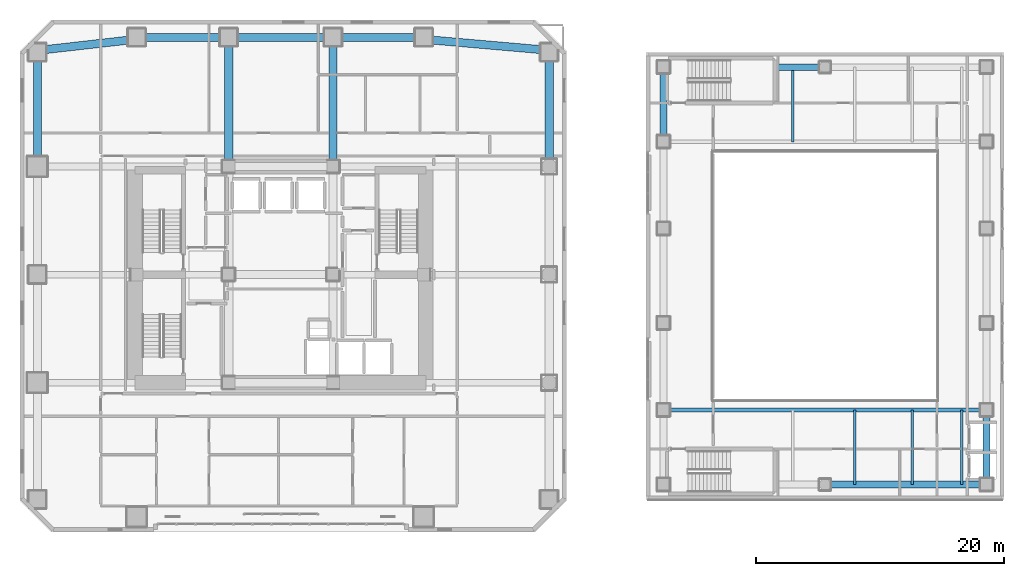
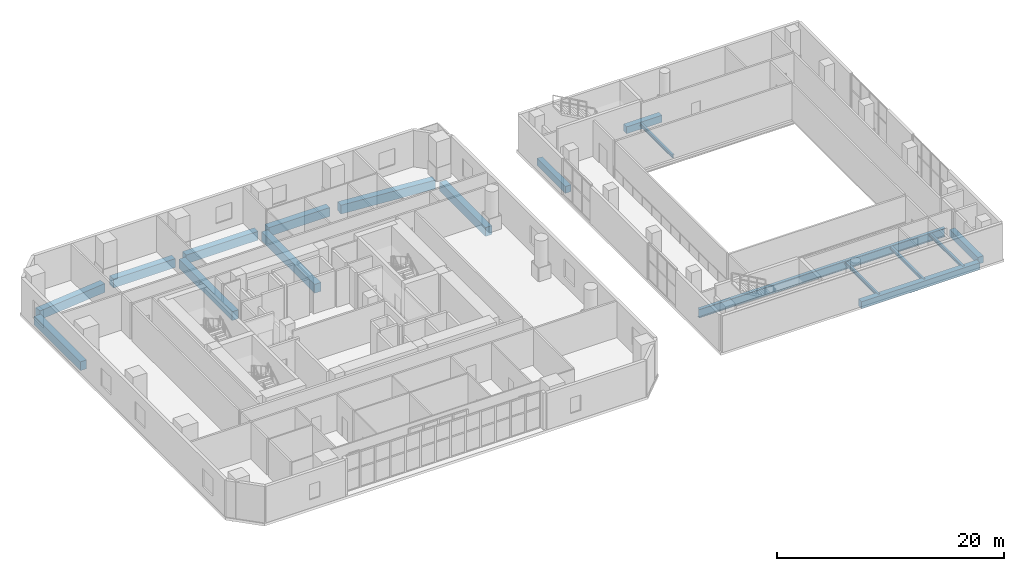
# One storey, part 9 of 24: 18 beams.
"""IFC4 building model written with IfcOpenShell, lengths in metres."""

from ifc_helpers import new_model, si_unit, direction, frame, origin, origin_2d, place, context, subcontext, project, spatial, rectangle, i_section, extrude, material, material_profile, profile_set, type_object, element, save


model = new_model("IFC4")

# Units and contexts
model_context = context("Model", 3, precision=1e-05, world=origin(), true_north=direction((0.0, 1.0)))
body_context = subcontext(model_context, "Body", "Model", "MODEL_VIEW")
ifc_project = project(units=[si_unit("LENGTHUNIT", "METRE"), si_unit("AREAUNIT", "SQUARE_METRE"), si_unit("VOLUMEUNIT", "CUBIC_METRE"), si_unit("PLANEANGLEUNIT", "RADIAN"), si_unit("MASSUNIT", "GRAM", prefix="KILO")], contexts=[model_context])

# Site, building, storey
site_placement = place(None, origin())
site = spatial("IfcSite", under=ifc_project, at=site_placement, CompositionType="ELEMENT")
building_placement = place(site_placement, origin())
building = spatial("IfcBuilding", under=site, at=building_placement, Name="Solanera Arch Residences", CompositionType="ELEMENT")
storey_placement = place(building_placement, frame((0.0, 0.0, 5.199951171875)))
storey = spatial("IfcBuildingStorey", under=building, at=storey_placement, Name="L01", CompositionType="ELEMENT", Elevation=5.199951171875)

# Beams
ifc_material_1 = material(Name="Concrete C40/50 (f'c = 45 MPa)", Category="concrete")
ifc_material_profile_1 = material_profile(ifc_material_1, rectangle(XDim=0.550048828125, YDim=0.75, at=origin_2d()))
ifc_profile_set_1 = profile_set([ifc_material_profile_1], Name="Concrete C40/50 (f'c = 45 MPa)")
beam_type_1 = type_object("IfcBeamType", Name="Primary Beam RC-BM-550X750", PredefinedType="BEAM", material=ifc_profile_set_1)
for number, where, z_axis, x_axis, name in (
    (1, (81.800048828125, 14.300048828125, -0.655029296875), (0.0, 1.0, 0.0), (-1.0, 0.0, 0.0), "BM-L01-HE-1"),
    (2, (55.800048828125, 41.89990234375, -0.655029296875), (0.0, 1.0, 0.0), (-1.0, 0.0, 0.0), "BM-L01-HW-5"),
):
    element("IfcBeam", number, at=place(storey_placement, frame(where, z_axis=z_axis, x_axis=x_axis)), inside=storey, type_object=beam_type_1, Name=name, PredefinedType="BEAM", context=body_context, shape_type="SweptSolid", body=[
        extrude(rectangle(XDim=0.550048828125, YDim=0.75, at=origin_2d()), origin(), (0.0, 0.0, 1.0), 5.0),
    ])
beam_1_placement = place(storey_placement, frame((69.25, 13.800048828125, -0.655029296875), z_axis=(1.0, 0.0, 0.0), x_axis=(0.0, 1.0, 0.0)))
element("IfcBeam", 3, at=beam_1_placement, inside=storey, type_object=beam_type_1, Name="BM-L01-HS-2", PredefinedType="BEAM", context=body_context, shape_type="SweptSolid", body=[
    extrude(rectangle(XDim=0.550048828125, YDim=0.75, at=origin_2d()), origin(), (0.0, 0.0, 1.0), 12.050048828125),
])
beam_2_placement = place(storey_placement, frame((64.760009765625, 47.39990234375, -0.655029296875), z_axis=(1.0, 0.0, 0.0), x_axis=(0.0, 1.0, 0.0)))
element("IfcBeam", 4, at=beam_2_placement, inside=storey, type_object=beam_type_1, Name="BM-L01-HN-1", PredefinedType="BEAM", context=body_context, shape_type="SweptSolid", body=[
    extrude(rectangle(XDim=0.550048828125, YDim=0.75, at=origin_2d()), origin(), (0.0, 0.0, 1.0), 3.590087890625),
])
ifc_material_2 = material(Name="Concrete C40/50 (f'c = 45 MPa)", Category="concrete")
ifc_material_profile_2 = material_profile(ifc_material_2, rectangle(XDim=0.64990234375, YDim=0.949951171875, at=origin_2d()))
ifc_profile_set_2 = profile_set([ifc_material_profile_2], Name="Concrete C40/50 (f'c = 45 MPa)")
beam_type_2 = type_object("IfcBeamType", Name="Primary Beam RC-BM-650X950", PredefinedType="BEAM", material=ifc_profile_set_2)
beam_3_placement = place(storey_placement, frame((5.39990234375, 39.93994140625, -0.7548828125), z_axis=(0.0, 1.0, 0.0), x_axis=(-1.0, 0.0, 0.0)))
element("IfcBeam", 5, at=beam_3_placement, inside=storey, type_object=beam_type_2, Name="BM-L01-POD-W4", PredefinedType="BEAM", context=body_context, shape_type="SweptSolid", body=[
    extrude(rectangle(XDim=0.64990234375, YDim=0.949951171875, at=origin_2d()), origin(), (0.0, 0.0, 1.0), 8.1201171875),
])
beam_4_placement = place(storey_placement, frame((5.8798828125, 48.800048828125, -0.7548828125), z_axis=(0.993604551923, 0.112915873098, 0.0), x_axis=(-0.112915873098, 0.993604551923, 0.0)))
element("IfcBeam", 6, at=beam_4_placement, inside=storey, type_object=beam_type_2, Name="BM-L01-POD-N1", PredefinedType="BEAM", context=body_context, shape_type="SweptSolid", body=[
    extrude(rectangle(XDim=0.64990234375, YDim=0.949951171875, at=origin_2d()), origin(), (0.0, 0.0, 1.0), 7.08544921875),
])
beam_5_placement = place(storey_placement, frame((13.93994140625, 49.800048828125, -0.7548828125), z_axis=(1.0, 0.0, 0.0), x_axis=(0.0, 1.0, 0.0)))
element("IfcBeam", 7, at=beam_5_placement, inside=storey, type_object=beam_type_2, Name="BM-L01-POD-N2", PredefinedType="BEAM", context=body_context, shape_type="SweptSolid", body=[
    extrude(rectangle(XDim=0.64990234375, YDim=0.949951171875, at=origin_2d()), origin(), (0.0, 0.0, 1.0), 6.320068359375),
])
beam_6_placement = place(storey_placement, frame((21.340087890625, 49.800048828125, -0.7548828125), z_axis=(1.0, 0.0, 0.0), x_axis=(0.0, 1.0, 0.0)))
element("IfcBeam", 8, at=beam_6_placement, inside=storey, type_object=beam_type_2, Name="BM-L01-POD-N3", PredefinedType="BEAM", context=body_context, shape_type="SweptSolid", body=[
    extrude(rectangle(XDim=0.64990234375, YDim=0.949951171875, at=origin_2d()), origin(), (0.0, 0.0, 1.0), 7.31982421875),
])
beam_7_placement = place(storey_placement, frame((29.739990234375, 49.800048828125, -0.7548828125), z_axis=(1.0, 0.0, 0.0), x_axis=(0.0, 1.0, 0.0)))
element("IfcBeam", 9, at=beam_7_placement, inside=storey, type_object=beam_type_2, Name="BM-L01-POD-N4", PredefinedType="BEAM", context=body_context, shape_type="SweptSolid", body=[
    extrude(rectangle(XDim=0.64990234375, YDim=0.949951171875, at=origin_2d()), origin(), (0.0, 0.0, 1.0), 6.219970703125),
])
beam_8_placement = place(storey_placement, frame((36.97998046875, 49.60009765625, -0.7548828125), z_axis=(0.996191002053, -0.087197978357, 0.0), x_axis=(0.087197978357, 0.996191002053, 0.0)))
element("IfcBeam", 10, at=beam_8_placement, inside=storey, type_object=beam_type_2, Name="BM-L01-POD-N5", PredefinedType="BEAM", context=body_context, shape_type="SweptSolid", body=[
    extrude(rectangle(XDim=0.64990234375, YDim=0.949951171875, at=origin_2d()), origin(), (0.0, 0.0, 1.0), 9.175048828125),
])
beam_9_placement = place(storey_placement, frame((46.60009765625, 39.93994140625, -0.7548828125), z_axis=(0.0, 1.0, 0.0), x_axis=(-1.0, 0.0, 0.0)))
element("IfcBeam", 11, at=beam_9_placement, inside=storey, type_object=beam_type_2, Name="BM-L01-POD-E4", PredefinedType="BEAM", context=body_context, shape_type="SweptSolid", body=[
    extrude(rectangle(XDim=0.64990234375, YDim=0.949951171875, at=origin_2d()), origin(), (0.0, 0.0, 1.0), 8.1201171875),
])
for number, where, z_axis, x_axis, name in (
    (12, (20.800048828125, 39.904052734375, -0.7548828125), (0.0, 1.0, 0.0), (-1.0, 0.0, 0.0), "BM-L01-POD-RN-20"),
    (13, (29.199951171875, 39.904052734375, -0.7548828125), (0.0, 1.0, 0.0), (-1.0, 0.0, 0.0), "BM-L01-POD-RN-29"),
):
    element("IfcBeam", number, at=place(storey_placement, frame(where, z_axis=z_axis, x_axis=x_axis)), inside=storey, type_object=beam_type_2, Name=name, PredefinedType="BEAM", context=body_context, shape_type="SweptSolid", body=[
        extrude(rectangle(XDim=0.64990234375, YDim=0.949951171875, at=origin_2d()), origin(), (0.0, 0.0, 1.0), 9.35595703125),
    ])
ifc_material_3 = material(Name="Steel S355 (ASTM A992 / A572 Grade 50)", Category="steel")
ifc_material_profile_3 = material_profile(ifc_material_3, i_section(OverallWidth=0.306884765625, OverallDepth=0.912109375, WebThickness=0.01953125, FlangeThickness=0.031982421875, at=origin_2d()))
ifc_profile_set_3 = profile_set([ifc_material_profile_3], Name="Steel S355 (ASTM A992 / A572 Grade 50)")
beam_type_3 = type_object("IfcBeamType", Name="Primary Beam W920X342", PredefinedType="BEAM", material=ifc_profile_set_3)
beam_10_placement = place(storey_placement, frame((56.300048828125, 19.800048828125, -0.73583984375), z_axis=(1.0, 0.0, 0.0), x_axis=(0.0, 1.0, 0.0)))
element("IfcBeam", 14, at=beam_10_placement, inside=storey, type_object=beam_type_3, Name="BM-L01-HCS", PredefinedType="BEAM", context=body_context, shape_type="SweptSolid", body=[
    extrude(i_section(OverallWidth=0.306884765625, OverallDepth=0.912109375, WebThickness=0.01953125, FlangeThickness=0.031982421875, at=origin_2d()), origin(), (0.0, 0.0, 1.0), 25.0),
])
ifc_material_4 = material(Name="Steel S355 (ASTM A992 / A572 Grade 50)", Category="steel")
ifc_material_profile_4 = material_profile(ifc_material_4, i_section(OverallWidth=0.205078125, OverallDepth=0.35400390625, WebThickness=0.009521484375, FlangeThickness=0.016845703125, at=origin_2d()))
ifc_profile_set_4 = profile_set([ifc_material_profile_4], Name="Steel S355 (ASTM A992 / A572 Grade 50)")
beam_type_4 = type_object("IfcBeamType", Name="Secondary Joist W360X79", PredefinedType="JOIST", material=ifc_profile_set_4)
for number, where, z_axis, x_axis, name in (
    (15, (66.199951171875, 41.39990234375, -0.45703125), (0.0, 1.0, 0.0), (-1.0, 0.0, 0.0), "BM-L01-HJN-66"),
    (16, (71.199951171875, 13.800048828125, -0.45703125), (0.0, 1.0, 0.0), (-1.0, 0.0, 0.0), "BM-L01-HJS-71"),
    (17, (75.800048828125, 13.800048828125, -0.45703125), (0.0, 1.0, 0.0), (-1.0, 0.0, 0.0), "BM-L01-HJS-75"),
    (18, (79.800048828125, 13.800048828125, -0.45703125), (0.0, 1.0, 0.0), (-1.0, 0.0, 0.0), "BM-L01-HJS-79"),
):
    element("IfcBeam", number, at=place(storey_placement, frame(where, z_axis=z_axis, x_axis=x_axis)), inside=storey, type_object=beam_type_4, Name=name, PredefinedType="JOIST", context=body_context, shape_type="SweptSolid", body=[
        extrude(i_section(OverallWidth=0.205078125, OverallDepth=0.35400390625, WebThickness=0.009521484375, FlangeThickness=0.016845703125, at=origin_2d()), origin(), (0.0, 0.0, 1.0), 6.0),
    ])

save(model, "model.ifc")
